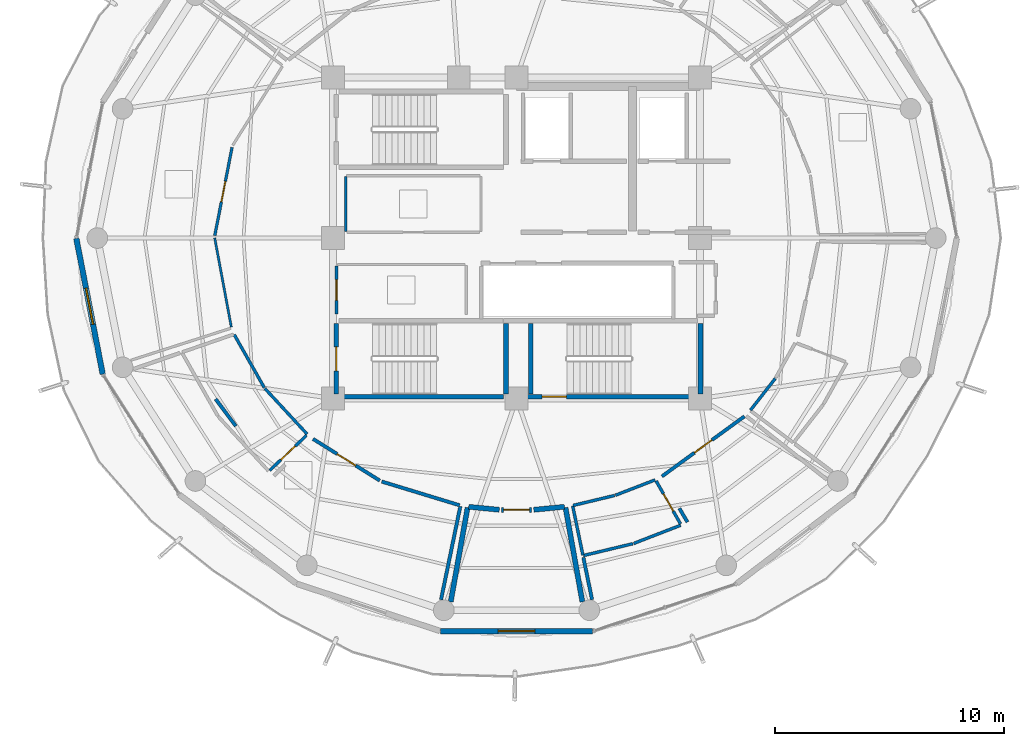
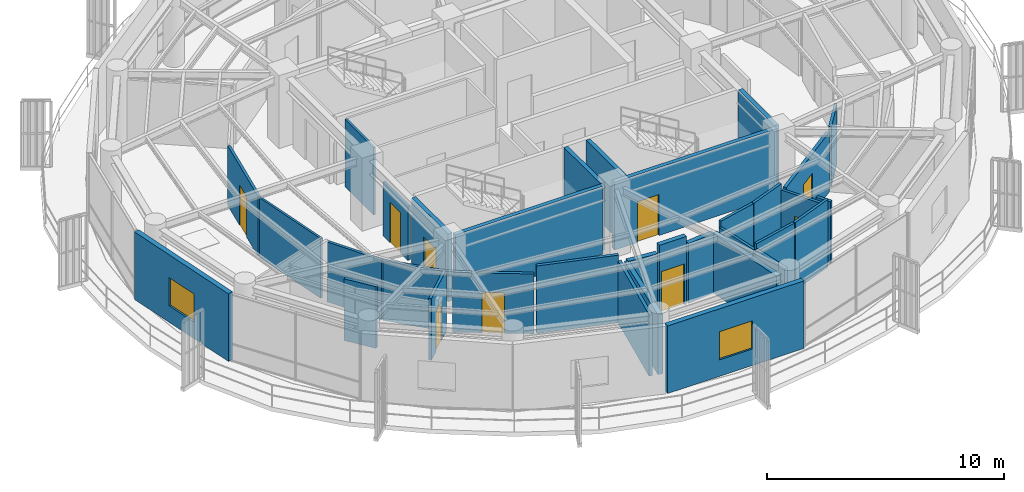
# One storey, part 15 of 22: 34 walls, 9 doors, 2 windows, 11 openings.
"""IFC4 building model written with IfcOpenShell, lengths in metres."""

from ifc_helpers import new_model, si_unit, direction, frame, frame_2d, origin, place, context, subcontext, project, spatial, rectangle, extrude, material, layer, layer_set, type_object, element, fill, save


model = new_model("IFC4")

# Units and contexts
model_context = context("Model", 3, precision=1e-05, world=origin(), true_north=direction((0.0, 1.0)))
body_context = subcontext(model_context, "Body", "Model", "MODEL_VIEW")
ifc_project = project(units=[si_unit("LENGTHUNIT", "METRE"), si_unit("AREAUNIT", "SQUARE_METRE"), si_unit("VOLUMEUNIT", "CUBIC_METRE"), si_unit("PLANEANGLEUNIT", "RADIAN"), si_unit("MASSUNIT", "GRAM", prefix="KILO")], contexts=[model_context])

# Site, building, storey
site_placement = place(None, origin())
site = spatial("IfcSite", under=ifc_project, at=site_placement, CompositionType="ELEMENT")
building_placement = place(site_placement, origin())
building = spatial("IfcBuilding", under=site, at=building_placement, Name="Kelanora Arch Commons", CompositionType="ELEMENT")
storey_placement = place(building_placement, frame((0.0, 0.0, 274.949951171875)))
storey = spatial("IfcBuildingStorey", under=building, at=storey_placement, Name="L70", CompositionType="ELEMENT", Elevation=274.949951171875)

# Wall, opening, door
ifc_material_1 = material(Name="Autoclaved aerated concrete blockwork with fire plaster", Category="masonry")
ifc_layer_1 = layer(ifc_material_1, 0.14990234375)
ifc_layer_set_1 = layer_set([ifc_layer_1], Name="Autoclaved aerated concrete blockwork with fire plaster")
wall_type_1 = type_object("IfcWallType", Name="W-COMP-150", PredefinedType="PARTITIONING", material=ifc_layer_set_1)
wall_1_placement = place(storey_placement, frame((80.339599609375, 47.607421875, 0.0), z_axis=(0.0, 0.0, 1.0), x_axis=(0.808603155837, 0.588354430909, 0.0)))
wall_1 = element("IfcWall", 1, at=wall_1_placement, inside=storey, type_object=wall_type_1, Name="Co-Living Studio L70-01 Entry Partition", PredefinedType="PARTITIONING", context=body_context, shape_type="SweptSolid", body=[
    extrude(rectangle(XDim=4.4482421875, YDim=0.14990234375, at=frame_2d((2.22412109375, 0.0))), origin(), (0.0, 0.0, 1.0), 3.074951171875),
])
opening_1_placement = place(wall_1_placement, frame((1.7490234375, 0.0, 0.0)))
opening_1 = element("IfcOpeningElement", 2, at=opening_1_placement, cuts=wall_1, Name="Opening D-CLU1", PredefinedType="OPENING", context=body_context, shape_type="SweptSolid", body=[
    extrude(rectangle(XDim=0.949951171875, YDim=2.080078125, at=frame_2d((0.47509765625, 1.0400390625))), frame((0.0, 0.0849609375, 0.0), z_axis=(0.0, -1.0, 0.0), x_axis=(1.0, 0.0, 0.0)), (0.0, 0.0, 1.0), 0.169921875),
])
ifc_material_2 = material(Name="Solid-core acoustic timber cluster entry fire door", Category="wood")
door_type_1 = type_object("IfcDoorType", Name="D-CLU-95", OperationType="NOTDEFINED", PredefinedType="DOOR", material=ifc_material_2)
door_1_placement = place(opening_1_placement, origin())
door_1 = element("IfcDoor", 3, at=door_1_placement, inside=storey, type_object=door_type_1, Name="Co-Living Studio L70-01 Door", OperationType="SINGLE_SWING_LEFT", OverallHeight=2.080078125, OverallWidth=0.949951171875, PredefinedType="DOOR", context=body_context, shape_type="SweptSolid", body=[
    extrude(rectangle(XDim=0.949951171875, YDim=2.080078125, at=frame_2d((0.47509765625, 1.0400390625))), frame((0.0, 0.02490234375, 0.0), z_axis=(0.0, -1.0, 0.0), x_axis=(1.0, 0.0, 0.0)), (0.0, 0.0, 1.0), 0.050048828125),
])
fill(opening_1, door_1)

wall_2_placement = place(storey_placement, frame((65.125, 49.240234375, 0.0), z_axis=(0.0, 0.0, 1.0), x_axis=(0.848573714942, -0.529077168578, 0.0)))
wall_2 = element("IfcWall", 4, at=wall_2_placement, inside=storey, type_object=wall_type_1, Name="Co-Living Studio L70-07 Entry Partition", PredefinedType="PARTITIONING", context=body_context, shape_type="SweptSolid", body=[
    extrude(rectangle(XDim=3.429443359375, YDim=0.14990234375, at=frame_2d((1.71484375, 0.0))), origin(), (0.0, 0.0, 1.0), 3.074951171875),
])
opening_2_placement = place(wall_2_placement, frame((1.239990234375, 0.0, 0.0)))
opening_2 = element("IfcOpeningElement", 5, at=opening_2_placement, cuts=wall_2, Name="Opening D-CLU1", PredefinedType="OPENING", context=body_context, shape_type="SweptSolid", body=[
    extrude(rectangle(XDim=0.949951171875, YDim=2.080078125, at=frame_2d((0.47509765625, 1.0400390625))), frame((0.0, 0.0849609375, 0.0), z_axis=(0.0, -1.0, 0.0), x_axis=(1.0, 0.0, 0.0)), (0.0, 0.0, 1.0), 0.169921875),
])
door_2_placement = place(opening_2_placement, origin())
door_2 = element("IfcDoor", 6, at=door_2_placement, inside=storey, type_object=door_type_1, Name="Co-Living Studio L70-07 Door", OperationType="SINGLE_SWING_LEFT", OverallHeight=2.080078125, OverallWidth=0.949951171875, PredefinedType="DOOR", context=body_context, shape_type="SweptSolid", body=[
    extrude(rectangle(XDim=0.949951171875, YDim=2.080078125, at=frame_2d((0.47509765625, 1.0400390625))), frame((0.0, 0.02490234375, 0.0), z_axis=(0.0, -1.0, 0.0), x_axis=(1.0, 0.0, 0.0)), (0.0, 0.0, 1.0), 0.050048828125),
])
fill(opening_2, door_2)

# Walls
wall_3_placement = place(storey_placement, frame((77.29345703125, 42.230224609375, 0.0), z_axis=(0.0, 0.0, 1.0), x_axis=(-0.20217648155, 0.979349105431, 0.0)))
element("IfcWall", 7, at=wall_3_placement, inside=storey, type_object=wall_type_1, Name="Co-Living Studio L70-01 Enclosure Partition 5", PredefinedType="PARTITIONING", context=body_context, shape_type="SweptSolid", body=[
    extrude(rectangle(XDim=1.88134765625, YDim=0.14990234375, at=frame_2d((0.940673828125, 0.0))), origin(), (0.0, 0.0, 1.0), 3.235107421875),
])
wall_4_placement = place(storey_placement, frame((81.45263671875, 45.617431640625, 0.0), z_axis=(0.0, 0.0, 1.0), x_axis=(-0.510879205684, 0.859652509564, 0.0)))
element("IfcWall", 8, at=wall_4_placement, inside=storey, type_object=wall_type_1, Name="Co-Living Studio L70-01 Enclosure Partition 7", PredefinedType="PARTITIONING", context=body_context, shape_type="SweptSolid", body=[
    extrude(rectangle(XDim=0.69580078125, YDim=0.14990234375, at=frame_2d((0.347900390625, 0.0))), origin(), (0.0, 0.0, 1.0), 3.175048828125),
])
wall_5_placement = place(storey_placement, frame((68.124267578125, 47.38232421875, 0.0), z_axis=(0.0, 0.0, 1.0), x_axis=(0.956499471214, -0.291734059662, 0.0)))
element("IfcWall", 9, at=wall_5_placement, inside=storey, type_object=wall_type_1, Name="Co-Living Studio L70-07 Enclosure Partition 2", PredefinedType="PARTITIONING", context=body_context, shape_type="SweptSolid", body=[
    extrude(rectangle(XDim=3.546630859375, YDim=0.14990234375, at=frame_2d((1.7734375, 0.0))), origin(), (0.0, 0.0, 1.0), 3.47998046875),
])
wall_6_placement = place(storey_placement, frame((71.546875, 46.296875, 0.0), z_axis=(0.0, 0.0, 1.0), x_axis=(-0.202308141573, -0.979321916355, 0.0)))
element("IfcWall", 10, at=wall_6_placement, inside=storey, type_object=wall_type_1, Name="Co-Living Studio L70-07 Enclosure Partition 3", PredefinedType="PARTITIONING", context=body_context, shape_type="SweptSolid", body=[
    extrude(rectangle(XDim=4.152587890625, YDim=0.14990234375, at=frame_2d((2.076171875, 0.0))), origin(), (0.0, 0.0, 1.0), 3.175048828125),
])
wall_7_placement = place(storey_placement, frame((60.877685546875, 50.980224609375, 0.0), z_axis=(0.0, 0.0, 1.0), x_axis=(0.598540360971, -0.801092651501, 0.0)))
element("IfcWall", 11, at=wall_7_placement, inside=storey, type_object=wall_type_1, Name="Co-Living Studio L70-07 Enclosure Partition 7", PredefinedType="PARTITIONING", context=body_context, shape_type="SweptSolid", body=[
    extrude(rectangle(XDim=1.472900390625, YDim=0.14990234375, at=frame_2d((0.736328125, 0.0))), origin(), (0.0, 0.0, 1.0), 3.175048828125),
])

# Wall, opening, window
ifc_material_3 = material(Name="Precast concrete C40/50 upper-zone terracotta rainscreen", Category="masonry")
ifc_layer_2 = layer(ifc_material_3, 0.239990234375)
ifc_layer_set_2 = layer_set([ifc_layer_2], Name="Precast concrete C40/50 upper-zone terracotta rainscreen")
wall_type_2 = type_object("IfcWallType", Name="W-EXT-TC2", PredefinedType="SOLIDWALL", material=ifc_layer_set_2)
wall_8_placement = place(storey_placement, frame((54.802978515625, 57.9853515625, 0.0), z_axis=(0.0, 0.0, 1.0), x_axis=(0.190969309115, -0.981596008028, 0.0)))
wall_8 = element("IfcWall", 12, at=wall_8_placement, inside=storey, type_object=wall_type_2, Name="Terracotta Exterior Wall L70-B09", PredefinedType="SOLIDWALL", context=body_context, shape_type="SweptSolid", body=[
    extrude(rectangle(XDim=6.032958984375, YDim=0.239990234375, at=frame_2d((3.0166015625, 0.0))), origin(), (0.0, 0.0, 1.0), 3.47509765625),
])
opening_3_placement = place(wall_8_placement, frame((2.216064453125, 0.0, 0.85009765625)))
opening_3 = element("IfcOpeningElement", 13, at=opening_3_placement, cuts=wall_8, Name="Opening WN-01", PredefinedType="OPENING", context=body_context, shape_type="SweptSolid", body=[
    extrude(rectangle(XDim=1.60009765625, YDim=1.449951171875, at=frame_2d((0.800048828125, 0.72509765625))), frame((0.0, 0.1298828125, 0.0), z_axis=(0.0, -1.0, 0.0), x_axis=(1.0, 0.0, 0.0)), (0.0, 0.0, 1.0), 0.260009765625),
])
ifc_material_4 = material(Name="Terracotta-anodised aluminium frame with operable low-E glazing", Category="masonry")
window_type = type_object("IfcWindowType", Name="WIN-CL-18", PartitioningType="DOUBLE_PANEL_VERTICAL", PredefinedType="WINDOW", material=ifc_material_4)
window_1_placement = place(opening_3_placement, origin())
window_1 = element("IfcWindow", 14, at=window_1_placement, inside=storey, type_object=window_type, Name="Co-Living Operable Window L70-B09", OverallHeight=1.449951171875, OverallWidth=1.60009765625, PartitioningType="SINGLE_PANEL", PredefinedType="WINDOW", context=body_context, shape_type="SweptSolid", body=[
    extrude(rectangle(XDim=1.60009765625, YDim=1.449951171875, at=frame_2d((0.800048828125, 0.72509765625))), frame((0.0, 0.030029296875, 0.0), z_axis=(0.0, -1.0, 0.0), x_axis=(1.0, 0.0, 0.0)), (0.0, 0.0, 1.0), 0.06005859375),
])
fill(opening_3, window_1)

wall_9_placement = place(storey_placement, frame((70.680908203125, 40.8642578125, 0.0), z_axis=(0.0, 0.0, 1.0), x_axis=(1.0, 0.0, 0.0)))
wall_9 = element("IfcWall", 15, at=wall_9_placement, inside=storey, type_object=wall_type_2, Name="Terracotta Exterior Wall L70-B13", PredefinedType="SOLIDWALL", context=body_context, shape_type="SweptSolid", body=[
    extrude(rectangle(XDim=6.63818359375, YDim=0.239990234375, at=frame_2d((3.319091796875, 0.0))), origin(), (0.0, 0.0, 1.0), 3.47509765625),
])
opening_4_placement = place(wall_9_placement, frame((2.51904296875, 0.0, 0.85009765625)))
opening_4 = element("IfcOpeningElement", 16, at=opening_4_placement, cuts=wall_9, Name="Opening WN-01", PredefinedType="OPENING", context=body_context, shape_type="SweptSolid", body=[
    extrude(rectangle(XDim=1.60009765625, YDim=1.449951171875, at=frame_2d((0.800048828125, 0.72509765625))), frame((0.0, 0.1298828125, 0.0), z_axis=(0.0, -1.0, 0.0), x_axis=(1.0, 0.0, 0.0)), (0.0, 0.0, 1.0), 0.260009765625),
])
window_2_placement = place(opening_4_placement, origin())
window_2 = element("IfcWindow", 17, at=window_2_placement, inside=storey, type_object=window_type, Name="Co-Living Operable Window L70-B13", OverallHeight=1.449951171875, OverallWidth=1.60009765625, PartitioningType="SINGLE_PANEL", PredefinedType="WINDOW", context=body_context, shape_type="SweptSolid", body=[
    extrude(rectangle(XDim=1.60009765625, YDim=1.449951171875, at=frame_2d((0.800048828125, 0.72509765625))), frame((0.0, 0.030029296875, 0.0), z_axis=(0.0, -1.0, 0.0), x_axis=(1.0, 0.0, 0.0)), (0.0, 0.0, 1.0), 0.06005859375),
])
fill(opening_4, window_2)

# Walls
ifc_material_5 = material(Name="Lightweight fire-rated acoustic stud partition")
ifc_layer_3 = layer(ifc_material_5, 0.10009765625)
ifc_layer_set_3 = layer_set([ifc_layer_3], Name="Lightweight fire-rated acoustic stud partition")
wall_type_3 = type_object("IfcWallType", Name="W-PART-100", PredefinedType="PARTITIONING", material=ifc_layer_set_3)
wall_10_placement = place(storey_placement, frame((66.550048828125, 60.679931640625, 0.0), z_axis=(0.0, 0.0, 1.0), x_axis=(0.0, -1.0, 0.0)))
element("IfcWall", 18, at=wall_10_placement, inside=storey, type_object=wall_type_3, Name="Reclaimed Core Study Pod Lounge L70 Enclosure Partition 4", PredefinedType="PARTITIONING", context=body_context, shape_type="SweptSolid", body=[
    extrude(rectangle(XDim=2.389892578125, YDim=0.10009765625, at=frame_2d((1.19482421875, 0.0))), origin(), (0.0, 0.0, 1.0), 3.47998046875),
])
wall_11_placement = place(storey_placement, frame((60.83740234375, 58.0087890625, 0.0), z_axis=(0.0, 0.0, 1.0), x_axis=(0.18318648267, -0.983078182327, 0.0)))
element("IfcWall", 19, at=wall_11_placement, inside=storey, type_object=wall_type_3, Name="Quiet Seminar Study Room L70-06 Enclosure Partition 3", PredefinedType="PARTITIONING", context=body_context, shape_type="SweptSolid", body=[
    extrude(rectangle(XDim=3.95947265625, YDim=0.10009765625, at=frame_2d((1.979736328125, 0.0))), origin(), (0.0, 0.0, 1.0), 3.074951171875),
])

# Wall, opening, door
ifc_material_6 = material(Name="Acoustic twin-stud fire-rated gypsum partition")
ifc_layer_4 = layer(ifc_material_6, 0.1201171875)
ifc_layer_set_4 = layer_set([ifc_layer_4], Name="Acoustic twin-stud fire-rated gypsum partition")
wall_type_4 = type_object("IfcWallType", Name="W-PART-120", PredefinedType="PARTITIONING", material=ifc_layer_set_4)
wall_12_placement = place(storey_placement, frame((66.14990234375, 54.679931640625, 0.0), z_axis=(0.0, 0.0, 1.0), x_axis=(0.0, 1.0, 0.0)))
wall_12 = element("IfcWall", 20, at=wall_12_placement, inside=storey, type_object=wall_type_4, Name="Reclaimed Core High-Zone Pantry and Copy Room L70 Entry Partition", PredefinedType="PARTITIONING", context=body_context, shape_type="SweptSolid", body=[
    extrude(rectangle(XDim=2.110107421875, YDim=0.1201171875, at=frame_2d((1.05517578125, 0.0))), origin(), (0.0, 0.0, 1.0), 2.775146484375),
])
opening_5_placement = place(wall_12_placement, frame((0.60498046875, 0.0, 0.0)))
opening_5 = element("IfcOpeningElement", 21, at=opening_5_placement, cuts=wall_12, Name="Opening D-RM1", PredefinedType="OPENING", context=body_context, shape_type="SweptSolid", body=[
    extrude(rectangle(XDim=0.89990234375, YDim=2.080078125, at=frame_2d((0.449951171875, 1.0400390625))), frame((0.0, 0.070068359375, 0.0), z_axis=(0.0, -1.0, 0.0), x_axis=(1.0, 0.0, 0.0)), (0.0, 0.0, 1.0), 0.14013671875),
])
ifc_material_7 = material(Name="Acoustic fire-rated timber study and lounge door", Category="wood")
door_type_2 = type_object("IfcDoorType", Name="D-ROOM-90", OperationType="NOTDEFINED", PredefinedType="DOOR", material=ifc_material_7)
door_3_placement = place(opening_5_placement, origin())
door_3 = element("IfcDoor", 22, at=door_3_placement, inside=storey, type_object=door_type_2, Name="Reclaimed Core High-Zone Pantry and Copy Room L70 Door", OperationType="SINGLE_SWING_RIGHT", OverallHeight=2.080078125, OverallWidth=0.89990234375, PredefinedType="DOOR", context=body_context, shape_type="SweptSolid", body=[
    extrude(rectangle(XDim=0.89990234375, YDim=2.080078125, at=frame_2d((0.449951171875, 1.0400390625))), frame((0.0, 0.02490234375, 0.0), z_axis=(0.0, -1.0, 0.0), x_axis=(1.0, 0.0, 0.0)), (0.0, 0.0, 1.0), 0.050048828125),
])
fill(opening_5, door_3)

wall_13_placement = place(storey_placement, frame((61.594482421875, 61.955078125, 0.0), z_axis=(0.0, 0.0, 1.0), x_axis=(-0.192019428236, -0.981391124466, 0.0)))
wall_13 = element("IfcWall", 23, at=wall_13_placement, inside=storey, type_object=wall_type_4, Name="Quiet Seminar Study Room L70-06 Entry Partition", PredefinedType="PARTITIONING", context=body_context, shape_type="SweptSolid", body=[
    extrude(rectangle(XDim=3.921142578125, YDim=0.1201171875, at=frame_2d((1.96044921875, 0.0))), origin(), (0.0, 0.0, 1.0), 3.074951171875),
])
opening_6_placement = place(wall_13_placement, frame((1.510986328125, 0.0, 0.0)))
opening_6 = element("IfcOpeningElement", 24, at=opening_6_placement, cuts=wall_13, Name="Opening D-RM1", PredefinedType="OPENING", context=body_context, shape_type="SweptSolid", body=[
    extrude(rectangle(XDim=0.89990234375, YDim=2.080078125, at=frame_2d((0.449951171875, 1.0400390625))), frame((0.0, 0.070068359375, 0.0), z_axis=(0.0, -1.0, 0.0), x_axis=(1.0, 0.0, 0.0)), (0.0, 0.0, 1.0), 0.14013671875),
])
door_4_placement = place(opening_6_placement, origin())
door_4 = element("IfcDoor", 25, at=door_4_placement, inside=storey, type_object=door_type_2, Name="Quiet Seminar Study Room L70-06 Door", OperationType="SINGLE_SWING_LEFT", OverallHeight=2.080078125, OverallWidth=0.89990234375, PredefinedType="DOOR", context=body_context, shape_type="SweptSolid", body=[
    extrude(rectangle(XDim=0.89990234375, YDim=2.080078125, at=frame_2d((0.449951171875, 1.0400390625))), frame((0.0, 0.02490234375, 0.0), z_axis=(0.0, -1.0, 0.0), x_axis=(1.0, 0.0, 0.0)), (0.0, 0.0, 1.0), 0.050048828125),
])
fill(opening_6, door_4)

ifc_material_8 = material(Name="Concrete C40/50", Category="concrete")
ifc_layer_5 = layer(ifc_material_8, 0.219970703125)
ifc_layer_set_5 = layer_set([ifc_layer_5], Name="Concrete C40/50")
wall_type_5 = type_object("IfcWallType", Name="W-REF-200", PredefinedType="SOLIDWALL", material=ifc_layer_set_5)
wall_14_placement = place(storey_placement, frame((73.347900390625, 46.14697265625, 0.0), z_axis=(0.0, 0.0, 1.0), x_axis=(1.0, 0.0, 0.0)))
wall_14 = element("IfcWall", 26, at=wall_14_placement, inside=storey, type_object=wall_type_5, Name="Two-Hour Fire Refuge Holding Room L70 Entry Partition", PredefinedType="SOLIDWALL", context=body_context, shape_type="SweptSolid", body=[
    extrude(rectangle(XDim=1.30419921875, YDim=0.219970703125, at=frame_2d((0.652099609375, 0.0))), origin(), (0.0, 0.0, 1.0), 3.47998046875),
])
opening_7_placement = place(wall_14_placement, frame((0.092041015625, 0.0, 0.0)))
opening_7 = element("IfcOpeningElement", 27, at=opening_7_placement, cuts=wall_14, Name="Opening D-REF1", PredefinedType="OPENING", context=body_context, shape_type="SweptSolid", body=[
    extrude(rectangle(XDim=1.1201171875, YDim=2.10009765625, at=frame_2d((0.56005859375, 1.050048828125))), frame((0.0, 0.1201171875, 0.0), z_axis=(0.0, -1.0, 0.0), x_axis=(1.0, 0.0, 0.0)), (0.0, 0.0, 1.0), 0.239990234375),
])
ifc_material_9 = material(Name="Two-hour fire refuge holding room door")
door_type_3 = type_object("IfcDoorType", Name="D-REF-110", OperationType="NOTDEFINED", PredefinedType="DOOR", material=ifc_material_9)
door_5_placement = place(opening_7_placement, origin())
door_5 = element("IfcDoor", 28, at=door_5_placement, inside=storey, type_object=door_type_3, Name="Two-Hour Fire Refuge Holding Room L70 Door", OperationType="SINGLE_SWING_LEFT", OverallHeight=2.10009765625, OverallWidth=1.1201171875, PredefinedType="DOOR", context=body_context, shape_type="SweptSolid", body=[
    extrude(rectangle(XDim=1.1201171875, YDim=2.10009765625, at=frame_2d((0.56005859375, 1.050048828125))), frame((0.0, 0.02490234375, 0.0), z_axis=(0.0, -1.0, 0.0), x_axis=(1.0, 0.0, 0.0)), (0.0, 0.0, 1.0), 0.050048828125),
])
fill(opening_7, door_5)

# Walls
for number, where, z_axis, x_axis, name in (
    (29, (71.911865234375, 46.281982421875, 0.0), (0.0, 0.0, 1.0), (0.995222638402, -0.097631449913, 0.0), "Two-Hour Fire Refuge Holding Room L70 Enclosure Partition 1"),
    (30, (74.751708984375, 46.15087890625, 0.0), (0.0, 0.0, 1.0), (0.995222638402, 0.097631449913, 0.0), "Two-Hour Fire Refuge Holding Room L70 Enclosure Partition 3"),
):
    element("IfcWall", number, at=place(storey_placement, frame(where, z_axis=z_axis, x_axis=x_axis)), inside=storey, type_object=wall_type_5, Name=name, PredefinedType="SOLIDWALL", context=body_context, shape_type="SweptSolid", body=[
        extrude(rectangle(XDim=1.3427734375, YDim=0.219970703125, at=frame_2d((0.67138671875, 0.0))), origin(), (0.0, 0.0, 1.0), 3.074951171875),
    ])
for number, where, z_axis, x_axis, name in (
    (31, (76.135009765625, 46.24658203125, 0.0), (0.0, 0.0, 1.0), (0.176199339585, -0.984354505618, 0.0), "Two-Hour Fire Refuge Holding Room L70 Enclosure Partition 4"),
    (32, (71.129150390625, 42.1357421875, 0.0), (0.0, 0.0, 1.0), (0.176199339585, 0.984354505618, 0.0), "Two-Hour Fire Refuge Holding Room L70 Enclosure Partition 8"),
):
    element("IfcWall", number, at=place(storey_placement, frame(where, z_axis=z_axis, x_axis=x_axis)), inside=storey, type_object=wall_type_5, Name=name, PredefinedType="SOLIDWALL", context=body_context, shape_type="SweptSolid", body=[
        extrude(rectangle(XDim=4.17626953125, YDim=0.219970703125, at=frame_2d((2.088134765625, 0.0))), origin(), (0.0, 0.0, 1.0), 3.074951171875),
    ])

# Wall, opening, door
ifc_layer_6 = layer(ifc_material_8, 0.199951171875)
ifc_layer_set_6 = layer_set([ifc_layer_6], Name="Concrete C40/50")
wall_type_6 = type_object("IfcWallType", Name="W-STAIR-200", PredefinedType="SHEAR", material=ifc_layer_set_6)
wall_15_placement = place(storey_placement, frame((74.0, 51.080078125, 0.0), z_axis=(0.0, 0.0, 1.0), x_axis=(1.0, 0.0, 0.0)))
wall_15 = element("IfcWall", 33, at=wall_15_placement, inside=storey, type_object=wall_type_6, Name="Stair ST-T2 Shaft Wall S L70", PredefinedType="SHEAR", context=body_context, shape_type="SweptSolid", body=[
    extrude(rectangle(XDim=7.89990234375, YDim=0.199951171875, at=frame_2d((3.949951171875, 0.0))), origin(), (0.0, 0.0, 1.0), 3.489990234375),
])
opening_8_placement = place(wall_15_placement, frame((1.1201171875, 0.0, 0.0)))
opening_8 = element("IfcOpeningElement", 34, at=opening_8_placement, cuts=wall_15, Name="Opening D-ST1", PredefinedType="OPENING", context=body_context, shape_type="SweptSolid", body=[
    extrude(rectangle(XDim=1.050048828125, YDim=2.10009765625, at=frame_2d((0.52490234375, 1.050048828125))), frame((0.0, 0.10986328125, 0.0), z_axis=(0.0, -1.0, 0.0), x_axis=(1.0, 0.0, 0.0)), (0.0, 0.0, 1.0), 0.219970703125),
])
ifc_material_10 = material(Name="Steel fire-rated stairwell escape door", Category="steel")
door_type_4 = type_object("IfcDoorType", Name="D-STAIR-110", OperationType="NOTDEFINED", PredefinedType="DOOR", material=ifc_material_10)
door_6_placement = place(opening_8_placement, origin())
door_6 = element("IfcDoor", 35, at=door_6_placement, inside=storey, type_object=door_type_4, Name="Stair ST-T2 Escape Door L70", OperationType="SINGLE_SWING_LEFT", OverallHeight=2.10009765625, OverallWidth=1.050048828125, PredefinedType="DOOR", context=body_context, shape_type="SweptSolid", body=[
    extrude(rectangle(XDim=1.050048828125, YDim=2.10009765625, at=frame_2d((0.52490234375, 1.050048828125))), frame((0.0, 0.02490234375, 0.0), z_axis=(0.0, -1.0, 0.0), x_axis=(1.0, 0.0, 0.0)), (0.0, 0.0, 1.0), 0.050048828125),
])
fill(opening_8, door_6)

# Walls
for number, where, z_axis, x_axis, name in (
    (36, (82.02001953125, 51.199951171875, 0.0), (0.0, 0.0, 1.0), (0.0, 1.0, 0.0), "Stair ST-T2 Shaft Wall E L70"),
    (37, (74.6201171875, 54.27001953125, 0.0), (0.0, 0.0, 1.0), (0.0, -1.0, 0.0), "Stair ST-T2 Shaft Wall W L70"),
):
    element("IfcWall", number, at=place(storey_placement, frame(where, z_axis=z_axis, x_axis=x_axis)), inside=storey, type_object=wall_type_6, Name=name, PredefinedType="SHEAR", context=body_context, shape_type="SweptSolid", body=[
        extrude(rectangle(XDim=3.070068359375, YDim=0.199951171875, at=frame_2d((1.53515625, 0.0))), origin(), (0.0, 0.0, 1.0), 3.489990234375),
    ])
wall_16_placement = place(storey_placement, frame((66.260009765625, 51.080078125, 0.0), z_axis=(0.0, 0.0, 1.0), x_axis=(1.0, 0.0, 0.0)))
element("IfcWall", 38, at=wall_16_placement, inside=storey, type_object=wall_type_6, Name="Stair ST-T3 Shaft Wall S L70", PredefinedType="SHEAR", context=body_context, shape_type="SweptSolid", body=[
    extrude(rectangle(XDim=7.159912109375, YDim=0.199951171875, at=frame_2d((3.580078125, 0.0))), origin(), (0.0, 0.0, 1.0), 3.489990234375),
])
wall_17_placement = place(storey_placement, frame((73.5400390625, 51.199951171875, 0.0), z_axis=(0.0, 0.0, 1.0), x_axis=(0.0, 1.0, 0.0)))
element("IfcWall", 39, at=wall_17_placement, inside=storey, type_object=wall_type_6, Name="Stair ST-T3 Shaft Wall E L70", PredefinedType="SHEAR", context=body_context, shape_type="SweptSolid", body=[
    extrude(rectangle(XDim=3.070068359375, YDim=0.199951171875, at=frame_2d((1.53515625, 0.0))), origin(), (0.0, 0.0, 1.0), 3.489990234375),
])

# Wall, opening, door
wall_18_placement = place(storey_placement, frame((66.139892578125, 54.27001953125, 0.0), z_axis=(0.0, 0.0, 1.0), x_axis=(0.0, -1.0, 0.0)))
wall_18 = element("IfcWall", 40, at=wall_18_placement, inside=storey, type_object=wall_type_6, Name="Stair ST-T3 Shaft Wall W L70", PredefinedType="SHEAR", context=body_context, shape_type="SweptSolid", body=[
    extrude(rectangle(XDim=3.070068359375, YDim=0.199951171875, at=frame_2d((1.53515625, 0.0))), origin(), (0.0, 0.0, 1.0), 3.489990234375),
])
opening_9_placement = place(wall_18_placement, frame((1.010009765625, 0.0, 0.0)))
opening_9 = element("IfcOpeningElement", 41, at=opening_9_placement, cuts=wall_18, Name="Opening D-ST1", PredefinedType="OPENING", context=body_context, shape_type="SweptSolid", body=[
    extrude(rectangle(XDim=1.050048828125, YDim=2.10009765625, at=frame_2d((0.52490234375, 1.050048828125))), frame((0.0, 0.10986328125, 0.0), z_axis=(0.0, -1.0, 0.0), x_axis=(1.0, 0.0, 0.0)), (0.0, 0.0, 1.0), 0.219970703125),
])
door_7_placement = place(opening_9_placement, origin())
door_7 = element("IfcDoor", 42, at=door_7_placement, inside=storey, type_object=door_type_4, Name="Stair ST-T3 Escape Door L70", OperationType="SINGLE_SWING_LEFT", OverallHeight=2.10009765625, OverallWidth=1.050048828125, PredefinedType="DOOR", context=body_context, shape_type="SweptSolid", body=[
    extrude(rectangle(XDim=1.050048828125, YDim=2.10009765625, at=frame_2d((0.52490234375, 1.050048828125))), frame((0.0, 0.02490234375, 0.0), z_axis=(0.0, -1.0, 0.0), x_axis=(1.0, 0.0, 0.0)), (0.0, 0.0, 1.0), 0.050048828125),
])
fill(opening_9, door_7)

ifc_material_11 = material(Name="Moisture-resistant fire-rated cement-board plumbing wall")
ifc_layer_7 = layer(ifc_material_11, 0.1298828125)
ifc_layer_set_7 = layer_set([ifc_layer_7], Name="Moisture-resistant fire-rated cement-board plumbing wall")
wall_type_7 = type_object("IfcWallType", Name="W-WET-120", PredefinedType="PLUMBINGWALL", material=ifc_layer_set_7)
wall_19_placement = place(storey_placement, frame((80.087646484375, 47.40771484375, 0.0), z_axis=(0.0, 0.0, 1.0), x_axis=(0.492943806894, -0.870061149141, 0.0)))
wall_19 = element("IfcWall", 43, at=wall_19_placement, inside=storey, type_object=wall_type_7, Name="En-Suite Shower WC L70-01 Entry Partition", PredefinedType="PLUMBINGWALL", context=body_context, shape_type="SweptSolid", body=[
    extrude(rectangle(XDim=2.14990234375, YDim=0.1298828125, at=frame_2d((1.074951171875, 0.0))), origin(), (0.0, 0.0, 1.0), 3.175048828125),
])
opening_10_placement = place(wall_19_placement, frame((0.64501953125, 0.0, 0.0)))
opening_10 = element("IfcOpeningElement", 44, at=opening_10_placement, cuts=wall_19, Name="Opening D-BT1", PredefinedType="OPENING", context=body_context, shape_type="SweptSolid", body=[
    extrude(rectangle(XDim=0.860107421875, YDim=2.050048828125, at=frame_2d((0.43017578125, 1.02490234375))), frame((0.0, 0.074951171875, 0.0), z_axis=(0.0, -1.0, 0.0), x_axis=(1.0, 0.0, 0.0)), (0.0, 0.0, 1.0), 0.14990234375),
])
ifc_material_12 = material(Name="Moisture-sealed fire-rated accessible bathroom door")
door_type_5 = type_object("IfcDoorType", Name="D-BATH-85", OperationType="NOTDEFINED", PredefinedType="DOOR", material=ifc_material_12)
door_8_placement = place(opening_10_placement, origin())
door_8 = element("IfcDoor", 45, at=door_8_placement, inside=storey, type_object=door_type_5, Name="En-Suite Shower WC L70-01 Door", OperationType="SINGLE_SWING_RIGHT", OverallHeight=2.050048828125, OverallWidth=0.860107421875, PredefinedType="DOOR", context=body_context, shape_type="SweptSolid", body=[
    extrude(rectangle(XDim=0.860107421875, YDim=2.050048828125, at=frame_2d((0.43017578125, 1.02490234375))), frame((0.0, 0.02490234375, 0.0), z_axis=(0.0, -1.0, 0.0), x_axis=(1.0, 0.0, 0.0)), (0.0, 0.0, 1.0), 0.050048828125),
])
fill(opening_10, door_8)

wall_20_placement = place(storey_placement, frame((64.838623046875, 49.3935546875, 0.0), z_axis=(0.0, 0.0, 1.0), x_axis=(-0.724098470775, -0.689696603313, 0.0)))
wall_20 = element("IfcWall", 46, at=wall_20_placement, inside=storey, type_object=wall_type_7, Name="En-Suite Shower WC L70-07 Entry Partition", PredefinedType="PLUMBINGWALL", context=body_context, shape_type="SweptSolid", body=[
    extrude(rectangle(XDim=2.20703125, YDim=0.1298828125, at=frame_2d((1.103515625, 0.0))), origin(), (0.0, 0.0, 1.0), 3.175048828125),
])
opening_11_placement = place(wall_20_placement, frame((0.674072265625, 0.0, 0.0)))
opening_11 = element("IfcOpeningElement", 47, at=opening_11_placement, cuts=wall_20, Name="Opening D-BT1", PredefinedType="OPENING", context=body_context, shape_type="SweptSolid", body=[
    extrude(rectangle(XDim=0.860107421875, YDim=2.050048828125, at=frame_2d((0.43017578125, 1.02490234375))), frame((0.0, 0.074951171875, 0.0), z_axis=(0.0, -1.0, 0.0), x_axis=(1.0, 0.0, 0.0)), (0.0, 0.0, 1.0), 0.14990234375),
])
door_9_placement = place(opening_11_placement, origin())
door_9 = element("IfcDoor", 48, at=door_9_placement, inside=storey, type_object=door_type_5, Name="En-Suite Shower WC L70-07 Door", OperationType="SINGLE_SWING_RIGHT", OverallHeight=2.050048828125, OverallWidth=0.860107421875, PredefinedType="DOOR", context=body_context, shape_type="SweptSolid", body=[
    extrude(rectangle(XDim=0.860107421875, YDim=2.050048828125, at=frame_2d((0.43017578125, 1.02490234375))), frame((0.0, 0.02490234375, 0.0), z_axis=(0.0, -1.0, 0.0), x_axis=(1.0, 0.0, 0.0)), (0.0, 0.0, 1.0), 0.050048828125),
])
fill(opening_11, door_9)

# Walls
wall_21_placement = place(storey_placement, frame((76.46435546875, 46.3408203125, 0.0), z_axis=(0.0, 0.0, 1.0), x_axis=(0.972460942093, 0.233065905066, 0.0)))
element("IfcWall", 49, at=wall_21_placement, inside=storey, type_object=wall_type_7, Name="En-Suite Shower WC L70-01 Enclosure Partition 1", PredefinedType="PLUMBINGWALL", context=body_context, shape_type="SweptSolid", body=[
    extrude(rectangle(XDim=1.864501953125, YDim=0.1298828125, at=frame_2d((0.93212890625, 0.0))), origin(), (0.0, 0.0, 1.0), 3.47998046875),
])
wall_22_placement = place(storey_placement, frame((78.315673828125, 46.787109375, 0.0), z_axis=(0.0, 0.0, 1.0), x_axis=(0.932830435446, 0.360315665363, 0.0)))
element("IfcWall", 50, at=wall_22_placement, inside=storey, type_object=wall_type_7, Name="En-Suite Shower WC L70-01 Enclosure Partition 2", PredefinedType="PLUMBINGWALL", context=body_context, shape_type="SweptSolid", body=[
    extrude(rectangle(XDim=1.84765625, YDim=0.1298828125, at=frame_2d((0.923828125, 0.0))), origin(), (0.0, 0.0, 1.0), 3.47998046875),
])
wall_23_placement = place(storey_placement, frame((81.158447265625, 45.477783203125, 0.0), z_axis=(0.0, 0.0, 1.0), x_axis=(-0.932475153314, -0.361234118616, 0.0)))
element("IfcWall", 51, at=wall_23_placement, inside=storey, type_object=wall_type_7, Name="En-Suite Shower WC L70-01 Enclosure Partition 4", PredefinedType="PLUMBINGWALL", context=body_context, shape_type="SweptSolid", body=[
    extrude(rectangle(XDim=2.197265625, YDim=0.1298828125, at=frame_2d((1.0986328125, 0.0))), origin(), (0.0, 0.0, 1.0), 3.47998046875),
])
wall_24_placement = place(storey_placement, frame((79.071533203125, 44.67236328125, 0.0), z_axis=(0.0, 0.0, 1.0), x_axis=(-0.972449268181, -0.233114608754, 0.0)))
element("IfcWall", 52, at=wall_24_placement, inside=storey, type_object=wall_type_7, Name="En-Suite Shower WC L70-01 Enclosure Partition 5", PredefinedType="PLUMBINGWALL", context=body_context, shape_type="SweptSolid", body=[
    extrude(rectangle(XDim=2.216064453125, YDim=0.1298828125, at=frame_2d((1.10791015625, 0.0))), origin(), (0.0, 0.0, 1.0), 3.47998046875),
])
wall_25_placement = place(storey_placement, frame((76.892822265625, 44.170654296875, 0.0), z_axis=(0.0, 0.0, 1.0), x_axis=(-0.202454539756, 0.979291662035, 0.0)))
element("IfcWall", 53, at=wall_25_placement, inside=storey, type_object=wall_type_7, Name="En-Suite Shower WC L70-01 Enclosure Partition 6", PredefinedType="PLUMBINGWALL", context=body_context, shape_type="SweptSolid", body=[
    extrude(rectangle(XDim=2.191162109375, YDim=0.1298828125, at=frame_2d((1.095703125, 0.0))), origin(), (0.0, 0.0, 1.0), 3.175048828125),
])
wall_26_placement = place(storey_placement, frame((84.203369140625, 50.497802734375, 0.0), z_axis=(0.0, 0.0, 1.0), x_axis=(0.615627813602, 0.78803705187, 0.0)))
element("IfcWall", 54, at=wall_26_placement, inside=storey, type_object=wall_type_7, Name="En-Suite Shower WC L70-02 Enclosure Partition 1", PredefinedType="PLUMBINGWALL", context=body_context, shape_type="SweptSolid", body=[
    extrude(rectangle(XDim=1.751708984375, YDim=0.1298828125, at=frame_2d((0.8759765625, 0.0))), origin(), (0.0, 0.0, 1.0), 3.074951171875),
])
wall_27_placement = place(storey_placement, frame((61.68994140625, 53.78662109375, 0.0), z_axis=(0.0, 0.0, 1.0), x_axis=(0.493265362099, -0.86987888959, 0.0)))
element("IfcWall", 55, at=wall_27_placement, inside=storey, type_object=wall_type_7, Name="En-Suite Shower WC L70-07 Enclosure Partition 1", PredefinedType="PLUMBINGWALL", context=body_context, shape_type="SweptSolid", body=[
    extrude(rectangle(XDim=2.656005859375, YDim=0.1298828125, at=frame_2d((1.328125, 0.0))), origin(), (0.0, 0.0, 1.0), 3.074951171875),
])
wall_28_placement = place(storey_placement, frame((63.023681640625, 51.4443359375, 0.0), z_axis=(0.0, 0.0, 1.0), x_axis=(0.678981447207, -0.734155429285, 0.0)))
element("IfcWall", 56, at=wall_28_placement, inside=storey, type_object=wall_type_7, Name="En-Suite Shower WC L70-07 Enclosure Partition 2", PredefinedType="PLUMBINGWALL", context=body_context, shape_type="SweptSolid", body=[
    extrude(rectangle(XDim=2.716796875, YDim=0.1298828125, at=frame_2d((1.3583984375, 0.0))), origin(), (0.0, 0.0, 1.0), 3.074951171875),
])

save(model, "model.ifc")
